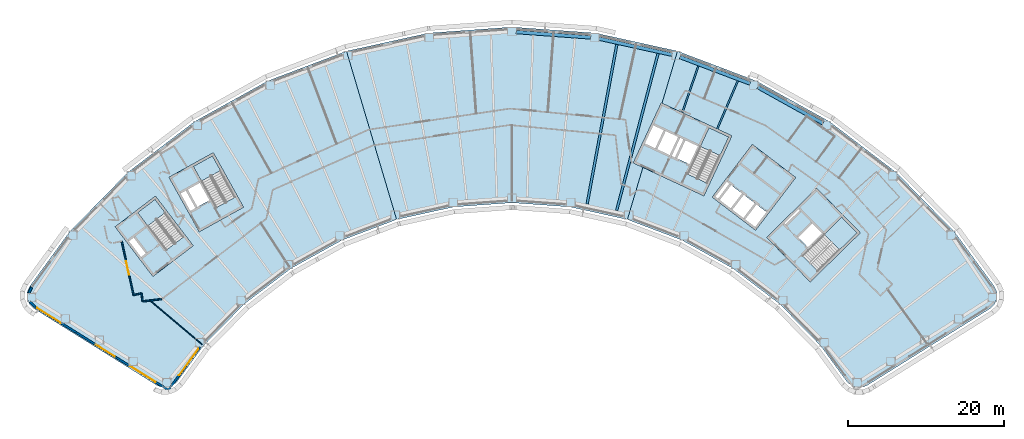
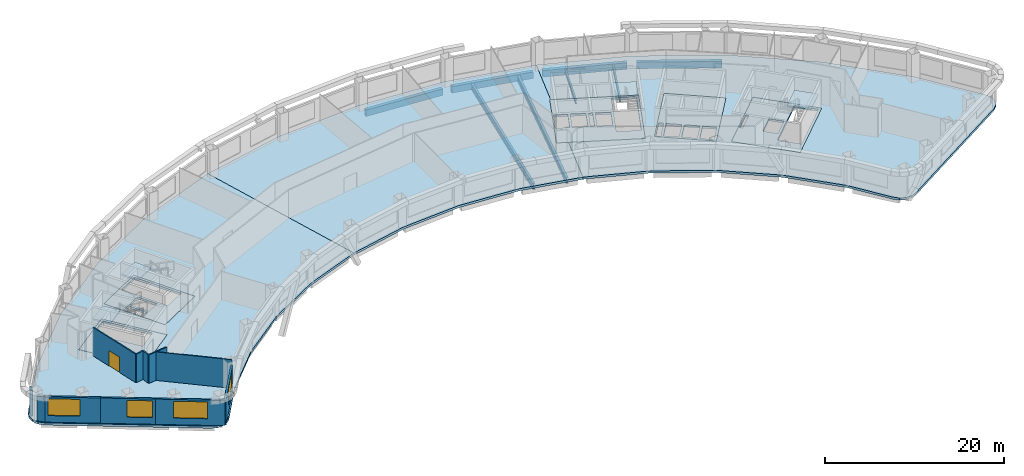
# One storey, part 2 of 13: 12 slabs, 11 walls, 8 beams, 4 windows, 1 door, 5 openings, 4 elements without a shape of their own.
"""IFC4 building model written with IfcOpenShell, lengths in metres."""

from ifc_helpers import new_model, si_unit, direction, frame, frame_2d, origin, origin_2d, place, context, subcontext, project, spatial, polyline, rectangle, hollow_rectangle, i_section, outline, extrude, material, layer, layer_set, material_profile, profile_set, type_object, element, fill, aggregate, save


model = new_model("IFC4")

# Units and contexts
model_context = context("Model", 3, precision=1e-05, world=origin(), true_north=direction((0.0, 1.0)))
body_context = subcontext(model_context, "Body", "Model", "MODEL_VIEW")
ifc_project = project(units=[si_unit("LENGTHUNIT", "METRE"), si_unit("AREAUNIT", "SQUARE_METRE"), si_unit("VOLUMEUNIT", "CUBIC_METRE"), si_unit("PLANEANGLEUNIT", "RADIAN"), si_unit("MASSUNIT", "GRAM", prefix="KILO")], contexts=[model_context])

# Site, building, storey
site_placement = place(None, origin())
site = spatial("IfcSite", under=ifc_project, at=site_placement, CompositionType="ELEMENT")
building_placement = place(site_placement, origin())
building = spatial("IfcBuilding", under=site, at=building_placement, Name="Tuul Gate Civic Tower", CompositionType="ELEMENT")
storey_placement = place(building_placement, frame((0.0, 0.0, 111.89990234375)))
storey = spatial("IfcBuildingStorey", under=building, at=storey_placement, Name="Level 25", CompositionType="ELEMENT", Elevation=111.89990234375)

# Beams
ifc_material_1 = material(Name="Steel S355", Category="steel")
ifc_material_profile_1 = material_profile(ifc_material_1, i_section(OverallWidth=0.199951171875, OverallDepth=0.5, WebThickness=0.010009765625, FlangeThickness=0.01611328125, at=origin_2d()), Name="PG500x200x10x16")
ifc_profile_set_1 = profile_set([ifc_material_profile_1], Name="Steel S355")
beam_type_1 = type_object("IfcBeamType", Name="STR-FLOOR BEAM-PG500x200x10x16", PredefinedType="BEAM", material=ifc_profile_set_1)
beam_1_placement = place(storey_placement, frame((36.169677734375, 1.197998046875, -0.5498046875), z_axis=(0.394200560457, 0.919024438269, 0.0), x_axis=(-0.919024438269, 0.394200560457, 0.0)))
element("IfcBeam", 1, at=beam_1_placement, inside=storey, type_object=beam_type_1, Name="Floor beam", PredefinedType="BEAM", context=body_context, shape_type="SweptSolid", body=[
    extrude(i_section(OverallWidth=0.199951171875, OverallDepth=0.5, WebThickness=0.010009765625, FlangeThickness=0.01611328125, at=origin_2d()), origin(), (0.0, 0.0, 1.0), 6.704345703125),
])
beam_2_placement = place(storey_placement, frame((31.6875, 3.2880859375, -0.5498046875), z_axis=(0.325502200931, 0.945541282647, 0.0), x_axis=(-0.945541282647, 0.325502200931, 0.0)))
element("IfcBeam", 2, at=beam_2_placement, inside=storey, type_object=beam_type_1, Name="Floor beam", PredefinedType="BEAM", context=body_context, shape_type="SweptSolid", body=[
    extrude(i_section(OverallWidth=0.199951171875, OverallDepth=0.5, WebThickness=0.010009765625, FlangeThickness=0.01611328125, at=origin_2d()), origin(), (0.0, 0.0, 1.0), 6.3310546875),
])
ifc_material_2 = material(Name="Steel S355", Category="steel")
ifc_material_profile_2 = material_profile(ifc_material_2, i_section(OverallWidth=0.300048828125, OverallDepth=0.800048828125, WebThickness=0.013916015625, FlangeThickness=0.02490234375, at=origin_2d()), Name="PG800x300x14x25")
ifc_profile_set_2 = profile_set([ifc_material_profile_2], Name="Steel S355")
beam_type_2 = type_object("IfcBeamType", Name="STR-FLOOR BEAM-PG800x300x14x25", PredefinedType="BEAM", material=ifc_profile_set_2)
beam_3_placement = place(storey_placement, frame((23.267578125, -9.2548828125, -0.699951171875), z_axis=(0.255007612054, 0.966939045542, 0.0), x_axis=(-0.966939045542, 0.255007612054, 0.0)))
element("IfcBeam", 3, at=beam_3_placement, inside=storey, type_object=beam_type_2, Name="Floor beam", PredefinedType="BEAM", context=body_context, shape_type="SweptSolid", body=[
    extrude(i_section(OverallWidth=0.300048828125, OverallDepth=0.800048828125, WebThickness=0.013916015625, FlangeThickness=0.02490234375, at=origin_2d()), origin(), (0.0, 0.0, 1.0), 20.8173828125),
])
beam_4_placement = place(storey_placement, frame((19.477294921875, -8.419677734375, -0.699951171875), z_axis=(0.183147342328, 0.98308547492, 0.0), x_axis=(-0.98308547492, 0.183147342328, 0.0)))
element("IfcBeam", 4, at=beam_4_placement, inside=storey, type_object=beam_type_2, Name="Floor beam", PredefinedType="BEAM", context=body_context, shape_type="SweptSolid", body=[
    extrude(i_section(OverallWidth=0.300048828125, OverallDepth=0.800048828125, WebThickness=0.013916015625, FlangeThickness=0.02490234375, at=origin_2d()), origin(), (0.0, 0.0, 1.0), 20.811279296875),
])
ifc_material_3 = material(Name="Steel S355", Category="steel")
ifc_material_profile_3 = material_profile(ifc_material_3, hollow_rectangle(XDim=0.449951171875, YDim=0.89990234375, WallThickness=0.02490234375, at=origin_2d()), Name="BOX900x450x25")
ifc_profile_set_3 = profile_set([ifc_material_profile_3], Name="Steel S355")
beam_type_3 = type_object("IfcBeamType", Name="STR-SPANDREL BEAM-BOX900x450x25", PredefinedType="BEAM", material=ifc_profile_set_3)
beam_5_placement = place(storey_placement, frame((49.75, 1.9306640625, -0.75), z_axis=(-0.874633056334, 0.484785536879, 0.0), x_axis=(-0.484785536879, -0.874633056334, 0.0)))
element("IfcBeam", 5, at=beam_5_placement, inside=storey, type_object=beam_type_3, Name="Spandrel beam", PredefinedType="BEAM", context=body_context, shape_type="SweptSolid", body=[
    extrude(hollow_rectangle(XDim=0.449951171875, YDim=0.89990234375, WallThickness=0.02490234375, at=origin_2d()), origin(), (0.0, 0.0, 1.0), 9.57666015625),
])
beam_6_placement = place(storey_placement, frame((40.378662109375, 7.034423828125, -0.75), z_axis=(-0.935356695064, 0.353705884879, 0.0), x_axis=(-0.353705884879, -0.935356695064, 0.0)))
element("IfcBeam", 6, at=beam_6_placement, inside=storey, type_object=beam_type_3, Name="Spandrel beam", PredefinedType="BEAM", context=body_context, shape_type="SweptSolid", body=[
    extrude(hollow_rectangle(XDim=0.449951171875, YDim=0.89990234375, WallThickness=0.02490234375, at=origin_2d()), origin(), (0.0, 0.0, 1.0), 9.578369140625),
])
beam_7_placement = place(storey_placement, frame((30.367919921875, 10.7353515625, -0.75), z_axis=(-0.976564052188, 0.215226977802, 0.0), x_axis=(-0.215226977802, -0.976564052188, 0.0)))
element("IfcBeam", 7, at=beam_7_placement, inside=storey, type_object=beam_type_3, Name="Spandrel beam", PredefinedType="BEAM", context=body_context, shape_type="SweptSolid", body=[
    extrude(hollow_rectangle(XDim=0.449951171875, YDim=0.89990234375, WallThickness=0.02490234375, at=origin_2d()), origin(), (0.0, 0.0, 1.0), 9.5771484375),
])
beam_8_placement = place(storey_placement, frame((19.929443359375, 12.954833984375, -0.75), z_axis=(-0.997390439125, 0.072196343002, 0.0), x_axis=(-0.072196343002, -0.997390439125, 0.0)))
element("IfcBeam", 8, at=beam_8_placement, inside=storey, type_object=beam_type_3, Name="Spandrel beam", PredefinedType="BEAM", context=body_context, shape_type="SweptSolid", body=[
    extrude(hollow_rectangle(XDim=0.449951171875, YDim=0.89990234375, WallThickness=0.02490234375, at=origin_2d()), origin(), (0.0, 0.0, 1.0), 9.57666015625),
])

# Slabs
ifc_material_4 = material(Name="Concrete C40/50", Category="concrete")
ifc_layer_1 = layer(ifc_material_4, 0.300048828125)
ifc_layer_set_1 = layer_set([ifc_layer_1], Name="Concrete C40/50")
slab_type_1 = type_object("IfcSlabType", Name="Core floor slab 300", PredefinedType="FLOOR", material=ifc_layer_set_1)
slab_1_placement = place(storey_placement, frame((0.0, 0.0, -0.2998046875)))
element("IfcSlab", 9, at=slab_1_placement, inside=storey, type_object=slab_type_1, Name="FLOOR SLAB", PredefinedType="FLOOR", context=body_context, shape_type="SweptSolid", body=[
    extrude(outline(polyline([(-31.10009765625, -13.7890625), (-35.946044921875, -7.423828125), (-41.11767578125, -11.361572265625), (-36.271484375, -17.726806640625), (-31.10009765625, -13.7890625)]), holes=[polyline([(-37.19287109375, -14.783203125), (-38.737548828125, -12.75439453125), (-39.45361328125, -13.299560546875), (-37.908935546875, -15.328369140625), (-37.19287109375, -14.783203125)]), polyline([(-32.33935546875, -12.65771484375), (-34.56591796875, -14.352783203125), (-38.229736328125, -9.54052734375), (-36.003173828125, -7.845458984375), (-32.33935546875, -12.65771484375)])]), origin(), (0.0, 0.0, 1.0), 0.2998046875),
])
slab_2_placement = place(storey_placement, frame((0.0, 0.0, -0.2998046875)))
element("IfcSlab", 10, at=slab_2_placement, inside=storey, type_object=slab_type_1, Name="FLOOR SLAB", PredefinedType="FLOOR", context=body_context, shape_type="SweptSolid", body=[
    extrude(outline(polyline([(-24.638916015625, -8.846923828125), (-28.51708984375, -1.849853515625), (-34.2021484375, -5.0009765625), (-30.32421875, -11.998046875), (-24.638916015625, -8.846923828125)]), holes=[polyline([(-29.0185546875, -7.958740234375), (-30.254638671875, -5.728515625), (-31.785400390625, -6.576904296875), (-30.54931640625, -8.80712890625), (-29.0185546875, -7.958740234375)]), polyline([(-30.8115234375, -8.95263671875), (-32.047607421875, -6.72216796875), (-32.8349609375, -7.158447265625), (-31.5986328125, -9.388916015625), (-30.8115234375, -8.95263671875)]), polyline([(-25.702392578125, -7.548828125), (-28.14990234375, -8.905517578125), (-31.08203125, -3.615234375), (-28.63427734375, -2.2587890625), (-25.702392578125, -7.548828125)])]), origin(), (0.0, 0.0, 1.0), 0.2998046875),
])
slab_3_placement = place(storey_placement, frame((0.0, 0.0, -0.2998046875)))
element("IfcSlab", 11, at=slab_3_placement, inside=storey, type_object=slab_type_1, Name="FLOOR SLAB", PredefinedType="FLOOR", context=body_context, shape_type="SweptSolid", body=[
    extrude(outline(polyline([(48.117919921875, -18.43310546875), (54.545166015625, -12.1328125), (48.945068359375, -6.419921875), (42.517822265625, -12.719970703125), (48.117919921875, -18.43310546875)]), holes=[polyline([(47.808837890625, -13.974853515625), (49.6298828125, -12.18994140625), (48.40478515625, -10.940185546875), (46.583984375, -12.72509765625), (47.808837890625, -13.974853515625)]), polyline([(44.93896484375, -11.046875), (46.760009765625, -9.261962890625), (46.514892578125, -9.011962890625), (44.69384765625, -10.797119140625), (44.93896484375, -11.046875)]), polyline([(49.086181640625, -17.062744140625), (47.12744140625, -15.064208984375), (52.160888671875, -10.130126953125), (54.11962890625, -12.128662109375), (49.086181640625, -17.062744140625)])]), origin(), (0.0, 0.0, 1.0), 0.2998046875),
])
slab_4_placement = place(storey_placement, frame((0.0, 0.0, -0.2998046875)))
element("IfcSlab", 12, at=slab_4_placement, inside=storey, type_object=slab_type_1, Name="FLOOR SLAB", PredefinedType="FLOOR", context=body_context, shape_type="SweptSolid", body=[
    extrude(outline(polyline([(34.465087890625, -7.385986328125), (38.056884765625, 0.31787109375), (28.993896484375, 4.543701171875), (25.40185546875, -3.159912109375), (34.465087890625, -7.385986328125)]), holes=[polyline([(32.60888671875, -3.32080078125), (33.6865234375, -1.009765625), (32.1005859375, -0.27001953125), (31.02294921875, -2.581298828125), (32.60888671875, -3.32080078125)]), polyline([(30.0712890625, -2.137451171875), (31.14892578125, 0.173583984375), (29.562744140625, 0.9130859375), (28.4853515625, -1.39794921875), (30.0712890625, -2.137451171875)]), polyline([(30.751220703125, -2.454345703125), (31.82861328125, -0.143310546875), (31.4208984375, 0.046875), (30.34326171875, -2.264404296875), (30.751220703125, -2.454345703125)]), polyline([(28.21337890625, -1.27099609375), (29.291015625, 1.0400390625), (27.8408203125, 1.71630859375), (26.76318359375, -0.594970703125), (28.21337890625, -1.27099609375)]), polyline([(34.889892578125, -5.7626953125), (32.353759765625, -4.580078125), (35.120849609375, 1.354736328125), (37.6572265625, 0.17236328125), (34.889892578125, -5.7626953125)])]), origin(), (0.0, 0.0, 1.0), 0.2998046875),
])
ifc_material_5 = material(Name="Concrete C40/50", Category="concrete")
ifc_layer_2 = layer(ifc_material_5, 0.300048828125)
ifc_layer_set_2 = layer_set([ifc_layer_2], Name="Concrete C40/50")
slab_type_2 = type_object("IfcSlabType", Name="Core floor slab 300 non-bearing", PredefinedType="FLOOR", material=ifc_layer_set_2)
slab_5_placement = place(storey_placement, frame((0.0, 0.0, -0.2998046875)))
element("IfcSlab", 13, at=slab_5_placement, inside=storey, type_object=slab_type_2, Name="FLOOR SLAB", PredefinedType="FLOOR", context=body_context, shape_type="SweptSolid", body=[
    extrude(outline(polyline([(41.10107421875, -11.797119140625), (46.25, -5.033935546875), (40.680908203125, -0.79296875), (35.531982421875, -7.555908203125), (41.10107421875, -11.797119140625)]), holes=[polyline([(41.044189453125, -11.37646484375), (42.497802734375, -9.467041015625), (41.22509765625, -8.49755859375), (39.77099609375, -10.4072265625), (41.044189453125, -11.37646484375)]), polyline([(39.532470703125, -10.225341796875), (40.986328125, -8.31591796875), (39.593994140625, -7.255615234375), (38.14013671875, -9.165283203125), (39.532470703125, -10.225341796875)]), polyline([(37.901611328125, -8.9833984375), (39.35546875, -7.073974609375), (37.963134765625, -6.013671875), (36.50927734375, -7.923095703125), (37.901611328125, -8.9833984375)]), polyline([(36.1796875, -7.860595703125), (37.724609375, -5.831787109375), (37.286865234375, -5.49853515625), (35.7421875, -7.527587890625), (36.1796875, -7.860595703125)])]), origin(), (0.0, 0.0, 1.0), 0.2998046875),
])

# Stair, slab
ifc_material_6 = material(Name="Concrete C40/50", Category="concrete")
stair_type = type_object("IfcStairType", Name="Exit stair", PredefinedType="HALF_TURN_STAIR", material=ifc_material_6)
stair_1_placement = place(storey_placement, origin())
stair_1 = element("IfcStair", 14, at=stair_1_placement, inside=storey, type_object=stair_type, Name="Level 25 ST-1", PredefinedType="HALF_TURN_STAIR")
ifc_material_7 = material(Name="Concrete C40/50", Category="concrete")
ifc_layer_3 = layer(ifc_material_7, 0.199951171875)
ifc_layer_set_3 = layer_set([ifc_layer_3], Name="Concrete C40/50")
slab_type_3 = type_object("IfcSlabType", Name="Exit stair landing", PredefinedType="LANDING", material=ifc_layer_set_3)
slab_6_placement = place(storey_placement, frame((0.0, 0.0, 1.900146484375)))
slab_6 = element("IfcSlab", 15, at=slab_6_placement, type_object=slab_type_3, Name="ST-1 landing 1", PredefinedType="LANDING", context=body_context, shape_type="SweptSolid", body=[
    extrude(outline(polyline([(-34.699462890625, -9.554931640625), (-36.9287109375, -11.252197265625), (-38.23193359375, -9.540283203125), (-36.0029296875, -7.843017578125), (-34.699462890625, -9.554931640625)])), origin(), (0.0, 0.0, 1.0), 0.199951171875),
])
aggregate(stair_1, [slab_6])

stair_2_placement = place(storey_placement, origin())
stair_2 = element("IfcStair", 16, at=stair_2_placement, inside=storey, type_object=stair_type, Name="Level 25 ST-2", PredefinedType="HALF_TURN_STAIR")
slab_7_placement = place(storey_placement, frame((0.0, 0.0, 1.900146484375)))
slab_7 = element("IfcSlab", 17, at=slab_7_placement, type_object=slab_type_3, Name="ST-2 landing 1", PredefinedType="LANDING", context=body_context, shape_type="SweptSolid", body=[
    extrude(outline(polyline([(-27.5908203125, -4.138427734375), (-30.041015625, -5.49658203125), (-31.084228515625, -3.61474609375), (-28.6337890625, -2.256591796875), (-27.5908203125, -4.138427734375)])), origin(), (0.0, 0.0, 1.0), 0.199951171875),
])
aggregate(stair_2, [slab_7])

stair_3_placement = place(storey_placement, origin())
stair_3 = element("IfcStair", 18, at=stair_3_placement, inside=storey, type_object=stair_type, Name="Level 25 ST-3", PredefinedType="HALF_TURN_STAIR")
slab_8_placement = place(storey_placement, frame((0.0, 0.0, 1.900146484375)))
slab_8 = element("IfcSlab", 19, at=slab_8_placement, type_object=slab_type_3, Name="ST-3 landing 1", PredefinedType="LANDING", context=body_context, shape_type="SweptSolid", body=[
    extrude(outline(polyline([(51.871337890625, -14.3349609375), (49.91015625, -12.334228515625), (52.160888671875, -10.1279296875), (54.1220703125, -12.128662109375), (51.871337890625, -14.3349609375)])), origin(), (0.0, 0.0, 1.0), 0.199951171875),
])
aggregate(stair_3, [slab_8])

stair_4_placement = place(storey_placement, origin())
stair_4 = element("IfcStair", 20, at=stair_4_placement, inside=storey, type_object=stair_type, Name="Level 25 ST-4", PredefinedType="HALF_TURN_STAIR")
slab_9_placement = place(storey_placement, frame((0.0, 0.0, 1.900146484375)))
slab_9 = element("IfcSlab", 21, at=slab_9_placement, type_object=slab_type_3, Name="ST-4 landing 1", PredefinedType="LANDING", context=body_context, shape_type="SweptSolid", body=[
    extrude(outline(polyline([(36.538818359375, -2.230224609375), (33.999755859375, -1.046142578125), (35.1201171875, 1.35693359375), (37.659423828125, 0.173095703125), (36.538818359375, -2.230224609375)])), origin(), (0.0, 0.0, 1.0), 0.199951171875),
])
aggregate(stair_4, [slab_9])

# Slabs
ifc_material_8 = material(Name="Concrete C35/45", Category="concrete")
ifc_layer_4 = layer(ifc_material_8, 0.300048828125)
ifc_layer_set_4 = layer_set([ifc_layer_4], Name="Concrete C35/45")
slab_type_4 = type_object("IfcSlabType", Name="STR-FLOOR-SLAB-300", PredefinedType="FLOOR", material=ifc_layer_set_4)
slab_10_placement = place(storey_placement, frame((0.0, 0.0, -0.2998046875)))
element("IfcSlab", 22, at=slab_10_placement, inside=storey, type_object=slab_type_4, Name="Level 25/slab/W", PredefinedType="FLOOR", context=body_context, shape_type="SweptSolid", body=[
    extrude(outline(polyline([(-12.0048828125, -13.0830078125), (-4.985107421875, -10.427978515625), (-11.4189453125, 11.194091796875), (-21.488037109375, 7.385986328125), (-30.902099609375, 2.1669921875), (-39.467041015625, -4.35302734375), (-47.001953125, -12.0400390625), (-52.0830078125, -18.9970703125), (-52.4189453125, -19.739990234375), (-52.430908203125, -20.555908203125), (-52.116943359375, -21.30810546875), (-51.527099609375, -21.8720703125), (-35.797119140625, -31.701904296875), (-35.10302734375, -31.971923828125), (-34.35791015625, -31.968994140625), (-33.666015625, -31.694091796875), (-33.1220703125, -31.18505859375), (-29.79296875, -26.626953125), (-24.5400390625, -21.26806640625), (-18.569091796875, -16.720947265625), (-12.0048828125, -13.0830078125)]), holes=[polyline([(-31.10009765625, -13.7890625), (-36.27197265625, -17.72705078125), (-41.117919921875, -11.362060546875), (-35.946044921875, -7.424072265625), (-31.10009765625, -13.7890625)]), polyline([(-24.638916015625, -8.846923828125), (-30.323974609375, -11.998046875), (-34.201904296875, -5.0009765625), (-28.51708984375, -1.85009765625), (-24.638916015625, -8.846923828125)])]), origin(), (0.0, 0.0, 1.0), 0.2998046875),
])
slab_11_placement = place(storey_placement, frame((0.0, 0.0, -0.2998046875)))
element("IfcSlab", 23, at=slab_11_placement, inside=storey, type_object=slab_type_4, Name="Level 25/slab/M", PredefinedType="FLOOR", context=body_context, shape_type="SweptSolid", body=[
    extrude(outline(polyline([(24.64306640625, -10.427978515625), (26.635009765625, -3.735107421875), (25.402099609375, -3.159912109375), (28.993896484375, 4.5439453125), (29.0859375, 4.5009765625), (31.076904296875, 11.194091796875), (20.56494140625, 13.510009765625), (9.8291015625, 14.2880859375), (-0.906982421875, 13.510009765625), (-11.4189453125, 11.194091796875), (-4.985107421875, -10.427978515625), (2.343994140625, -8.81298828125), (9.8291015625, -8.27099609375), (17.31396484375, -8.81298828125), (24.64306640625, -10.427978515625)])), origin(), (0.0, 0.0, 1.0), 0.2998046875),
])
slab_12_placement = place(storey_placement, frame((0.0, 0.0, -0.2998046875)))
element("IfcSlab", 24, at=slab_12_placement, inside=storey, type_object=slab_type_4, Name="Level 25/slab/E", PredefinedType="FLOOR", context=body_context, shape_type="SweptSolid", body=[
    extrude(outline(polyline([(54.760986328125, -31.971923828125), (55.455078125, -31.701904296875), (71.18505859375, -21.8720703125), (71.77392578125, -21.30810546875), (72.089111328125, -20.555908203125), (72.076904296875, -19.739990234375), (71.739990234375, -18.9970703125), (66.659912109375, -12.0400390625), (59.1240234375, -4.35302734375), (50.56005859375, 2.1669921875), (41.14501953125, 7.385986328125), (31.076904296875, 11.194091796875), (29.0859375, 4.5009765625), (38.056884765625, 0.318115234375), (34.465087890625, -7.385986328125), (26.635009765625, -3.735107421875), (24.64306640625, -10.427978515625), (31.6630859375, -13.0830078125), (38.22607421875, -16.720947265625), (44.197021484375, -21.26806640625), (49.450927734375, -26.626953125), (52.780029296875, -31.18505859375), (53.323974609375, -31.694091796875), (54.01611328125, -31.968994140625), (54.760986328125, -31.971923828125)]), holes=[polyline([(48.117919921875, -18.43310546875), (42.51806640625, -12.719970703125), (48.945068359375, -6.419921875), (54.544921875, -12.133056640625), (48.117919921875, -18.43310546875)]), polyline([(35.531982421875, -7.555908203125), (40.680908203125, -0.79296875), (46.25, -5.033935546875), (41.10107421875, -11.797119140625), (35.531982421875, -7.555908203125)])]), origin(), (0.0, 0.0, 1.0), 0.2998046875),
])

# Wall, opening, door
ifc_material_9 = material(Name="Gypsum board partition")
ifc_layer_5 = layer(ifc_material_9, 0.14990234375)
ifc_layer_set_5 = layer_set([ifc_layer_5], Name="Gypsum board partition")
wall_type_1 = type_object("IfcWallType", Name="Corridor wall P150", PredefinedType="PARTITIONING", material=ifc_layer_set_5)
wall_1_placement = place(storey_placement, frame((-40.279052734375, -13.201416015625, 0.0), z_axis=(0.0, 0.0, 1.0), x_axis=(0.214701443926, -0.976679727432, 0.0)))
wall_1 = element("IfcWall", 25, at=wall_1_placement, inside=storey, type_object=wall_type_1, Name="p044", PredefinedType="PARTITIONING", context=body_context, shape_type="SweptSolid", body=[
    extrude(rectangle(XDim=7.087646484375, YDim=0.14990234375, at=frame_2d((3.5439453125, 0.0))), origin(), (0.0, 0.0, 1.0), 3.900146484375),
])
opening_1_placement = place(wall_1_placement, frame((2.643798828125, 0.0, 0.0)))
opening_1 = element("IfcOpeningElement", 26, at=opening_1_placement, cuts=wall_1, Name="Opening H-D10", PredefinedType="OPENING", context=body_context, shape_type="SweptSolid", body=[
    extrude(rectangle(XDim=1.800048828125, YDim=2.10009765625, at=frame_2d((0.89990234375, 1.050048828125))), frame((0.0, 0.0849609375, 0.0), z_axis=(0.0, -1.0, 0.0), x_axis=(1.0, 0.0, 0.0)), (0.0, 0.0, 1.0), 0.169921875),
])
ifc_material_10 = material(Name="Timber door leaf, double", Category="wood")
door_type = type_object("IfcDoorType", Name="Door D18", OperationType="DOUBLE_DOOR_SINGLE_SWING", PredefinedType="DOOR", material=ifc_material_10)
door_placement = place(opening_1_placement, frame((1.800048828125, 0.0, 0.0), z_axis=(0.0, 0.0, 1.0), x_axis=(-1.0, 0.0, 0.0)))
door = element("IfcDoor", 27, at=door_placement, inside=storey, type_object=door_type, Name="Door H-D10", OperationType="DOUBLE_DOOR_SINGLE_SWING", OverallHeight=2.10009765625, OverallWidth=1.800048828125, PredefinedType="DOOR", context=body_context, shape_type="SweptSolid", body=[
    extrude(rectangle(XDim=1.800048828125, YDim=2.10009765625, at=frame_2d((0.900146484375, 1.050048828125))), frame((0.0, 0.02490234375, 0.0), z_axis=(0.0, -1.0, 0.0), x_axis=(1.0, 0.0, 0.0)), (0.0, 0.0, 1.0), 0.050048828125),
])
fill(opening_1, door)

# Walls
wall_2_placement = place(storey_placement, frame((-38.757080078125, -20.123779296875, 0.0), z_axis=(0.0, 0.0, 1.0), x_axis=(0.976654438629, 0.214816450735, 0.0)))
element("IfcWall", 28, at=wall_2_placement, inside=storey, type_object=wall_type_1, Name="p051", PredefinedType="PARTITIONING", context=body_context, shape_type="SweptSolid", body=[
    extrude(rectangle(XDim=1.02734375, YDim=0.14990234375, at=frame_2d((0.513671875, 0.0))), origin(), (0.0, 0.0, 1.0), 3.900146484375),
])
wall_3_placement = place(storey_placement, frame((-37.72900390625, -19.920654296875, 0.0), z_axis=(0.0, 0.0, 1.0), x_axis=(0.121168571495, -0.99263194452, 0.0)))
element("IfcWall", 29, at=wall_3_placement, inside=storey, type_object=wall_type_1, Name="p052", PredefinedType="PARTITIONING", context=body_context, shape_type="SweptSolid", body=[
    extrude(rectangle(XDim=1.027587890625, YDim=0.14990234375, at=frame_2d((0.513671875, 0.0))), origin(), (0.0, 0.0, 1.0), 3.900146484375),
])
wall_4_placement = place(storey_placement, frame((-37.6044921875, -20.940673828125, 0.0), z_axis=(0.0, 0.0, 1.0), x_axis=(0.992643003918, 0.121077936774, 0.0)))
element("IfcWall", 30, at=wall_4_placement, inside=storey, type_object=wall_type_1, Name="p053", PredefinedType="PARTITIONING", context=body_context, shape_type="SweptSolid", body=[
    extrude(rectangle(XDim=2.490234375, YDim=0.14990234375, at=frame_2d((1.2451171875, 0.0))), origin(), (0.0, 0.0, 1.0), 3.900146484375),
])
ifc_material_11 = material(Name="Precast concrete C40/50", Category="concrete")
ifc_layer_6 = layer(ifc_material_11, 0.25)
ifc_layer_set_6 = layer_set([ifc_layer_6], Name="Precast concrete C40/50")
wall_type_2 = type_object("IfcWallType", Name="External wall", PredefinedType="STANDARD", material=ifc_layer_set_6)
wall_5_placement = place(storey_placement, frame((-51.84814453125, -19.136474609375, 0.0), z_axis=(0.0, 0.0, 1.0), x_axis=(-0.411894351911, -0.911231607696, 0.0)))
element("IfcWall", 31, at=wall_5_placement, inside=storey, type_object=wall_type_2, Name="External wall", PredefinedType="STANDARD", context=body_context, shape_type="SweptSolid", body=[
    extrude(rectangle(XDim=0.829345703125, YDim=0.25, at=frame_2d((0.41455078125, 0.0))), origin(), (0.0, 0.0, 1.0), 3.4501953125),
])
wall_6_placement = place(storey_placement, frame((-52.053466796875, -20.991943359375, 0.0), z_axis=(0.0, 0.0, 1.0), x_axis=(0.722104872767, -0.691783602527, 0.0)))
element("IfcWall", 32, at=wall_6_placement, inside=storey, type_object=wall_type_2, Name="External wall", PredefinedType="STANDARD", context=body_context, shape_type="SweptSolid", body=[
    extrude(rectangle(XDim=0.958251953125, YDim=0.25, at=frame_2d((0.47900390625, 0.0))), origin(), (0.0, 0.0, 1.0), 3.4501953125),
])

# Wall, opening, window
wall_7_placement = place(storey_placement, frame((-51.3818359375, -21.638916015625, 0.0), z_axis=(0.0, 0.0, 1.0), x_axis=(0.848053758074, -0.529910203164, 0.0)))
wall_7 = element("IfcWall", 33, at=wall_7_placement, inside=storey, type_object=wall_type_2, Name="External wall", PredefinedType="STANDARD", context=body_context, shape_type="SweptSolid", body=[
    extrude(rectangle(XDim=6.182861328125, YDim=0.25, at=frame_2d((3.09130859375, 0.0))), origin(), (0.0, 0.0, 1.0), 3.4501953125),
])
opening_2_placement = place(wall_7_placement, frame((0.322998046875, 0.0, 0.89990234375)))
opening_2 = element("IfcOpeningElement", 34, at=opening_2_placement, cuts=wall_7, Name="Opening W112", PredefinedType="OPENING", context=body_context, shape_type="SweptSolid", body=[
    extrude(rectangle(XDim=3.550048828125, YDim=2.300048828125, at=frame_2d((1.77490234375, 1.14990234375))), frame((0.0, 0.135009765625, 0.0), z_axis=(0.0, -1.0, 0.0), x_axis=(1.0, 0.0, 0.0)), (0.0, 0.0, 1.0), 0.27001953125),
])
ifc_material_12 = material(Name="Glass", Category="glass")
window_type_1 = type_object("IfcWindowType", Name="Window W112 3550 x 2300", PartitioningType="SINGLE_PANEL", PredefinedType="WINDOW", material=ifc_material_12)
window_1_placement = place(opening_2_placement, origin())
window_1 = element("IfcWindow", 35, at=window_1_placement, inside=storey, type_object=window_type_1, Name="Window", OverallHeight=2.300048828125, OverallWidth=3.550048828125, PartitioningType="SINGLE_PANEL", PredefinedType="WINDOW", context=body_context, shape_type="SweptSolid", body=[
    extrude(rectangle(XDim=3.550048828125, YDim=2.300048828125, at=frame_2d((1.77490234375, 1.14990234375))), frame((0.0, 0.030029296875, 0.0), z_axis=(0.0, -1.0, 0.0), x_axis=(1.0, 0.0, 0.0)), (0.0, 0.0, 1.0), 0.06005859375),
])
fill(opening_2, window_1)

wall_8_placement = place(storey_placement, frame((-46.138427734375, -24.915283203125, 0.0), z_axis=(0.0, 0.0, 1.0), x_axis=(0.848053758074, -0.529910203164, 0.0)))
wall_8 = element("IfcWall", 36, at=wall_8_placement, inside=storey, type_object=wall_type_2, Name="External wall", PredefinedType="STANDARD", context=body_context, shape_type="SweptSolid", body=[
    extrude(rectangle(XDim=6.182861328125, YDim=0.25, at=frame_2d((3.09130859375, 0.0))), origin(), (0.0, 0.0, 1.0), 3.4501953125),
])
opening_3_placement = place(wall_8_placement, frame((3.006103515625, 0.0, 0.89990234375)))
opening_3 = element("IfcOpeningElement", 37, at=opening_3_placement, cuts=wall_8, Name="Opening W68", PredefinedType="OPENING", context=body_context, shape_type="SweptSolid", body=[
    extrude(rectangle(XDim=2.85009765625, YDim=2.300048828125, at=frame_2d((1.425048828125, 1.14990234375))), frame((0.0, 0.135009765625, 0.0), z_axis=(0.0, -1.0, 0.0), x_axis=(1.0, 0.0, 0.0)), (0.0, 0.0, 1.0), 0.27001953125),
])
ifc_material_13 = material(Name="Glass", Category="glass")
window_type_2 = type_object("IfcWindowType", Name="Window 2850 x 2300", PartitioningType="SINGLE_PANEL", PredefinedType="WINDOW", material=ifc_material_13)
window_2_placement = place(opening_3_placement, origin())
window_2 = element("IfcWindow", 38, at=window_2_placement, inside=storey, type_object=window_type_2, Name="Window", OverallHeight=2.300048828125, OverallWidth=2.85009765625, PartitioningType="SINGLE_PANEL", PredefinedType="WINDOW", context=body_context, shape_type="SweptSolid", body=[
    extrude(rectangle(XDim=2.85009765625, YDim=2.300048828125, at=frame_2d((1.425048828125, 1.14990234375))), frame((0.0, 0.030029296875, 0.0), z_axis=(0.0, -1.0, 0.0), x_axis=(1.0, 0.0, 0.0)), (0.0, 0.0, 1.0), 0.06005859375),
])
fill(opening_3, window_2)

wall_9_placement = place(storey_placement, frame((-40.89501953125, -28.191650390625, 0.0), z_axis=(0.0, 0.0, 1.0), x_axis=(0.848044094411, -0.529925668311, 0.0)))
wall_9 = element("IfcWall", 39, at=wall_9_placement, inside=storey, type_object=wall_type_2, Name="External wall", PredefinedType="STANDARD", context=body_context, shape_type="SweptSolid", body=[
    extrude(rectangle(XDim=7.787353515625, YDim=0.25, at=frame_2d((3.8935546875, 0.0))), origin(), (0.0, 0.0, 1.0), 3.4501953125),
])
opening_4_placement = place(wall_9_placement, frame((1.9951171875, 0.0, 0.89990234375)))
opening_4 = element("IfcOpeningElement", 40, at=opening_4_placement, cuts=wall_9, Name="Opening W22", PredefinedType="OPENING", context=body_context, shape_type="SweptSolid", body=[
    extrude(rectangle(XDim=3.85009765625, YDim=2.300048828125, at=frame_2d((1.925048828125, 1.14990234375))), frame((0.0, 0.135009765625, 0.0), z_axis=(0.0, -1.0, 0.0), x_axis=(1.0, 0.0, 0.0)), (0.0, 0.0, 1.0), 0.27001953125),
])
ifc_material_14 = material(Name="Glass", Category="glass")
window_type_3 = type_object("IfcWindowType", Name="Window W22 3850 x 2300", PartitioningType="SINGLE_PANEL", PredefinedType="WINDOW", material=ifc_material_14)
window_3_placement = place(opening_4_placement, origin())
window_3 = element("IfcWindow", 41, at=window_3_placement, inside=storey, type_object=window_type_3, Name="Window", OverallHeight=2.300048828125, OverallWidth=3.85009765625, PartitioningType="SINGLE_PANEL", PredefinedType="WINDOW", context=body_context, shape_type="SweptSolid", body=[
    extrude(rectangle(XDim=3.85009765625, YDim=2.300048828125, at=frame_2d((1.925048828125, 1.14990234375))), frame((0.0, 0.030029296875, 0.0), z_axis=(0.0, -1.0, 0.0), x_axis=(1.0, 0.0, 0.0)), (0.0, 0.0, 1.0), 0.06005859375),
])
fill(opening_4, window_3)

wall_10_placement = place(storey_placement, frame((-34.291015625, -32.318359375, 0.0), z_axis=(0.0, 0.0, 1.0), x_axis=(0.589868212008, 0.807499530936, 0.0)))
wall_10 = element("IfcWall", 42, at=wall_10_placement, inside=storey, type_object=wall_type_2, Name="External wall", PredefinedType="STANDARD", context=body_context, shape_type="SweptSolid", body=[
    extrude(rectangle(XDim=6.8486328125, YDim=0.25, at=frame_2d((3.42431640625, 0.0))), origin(), (0.0, 0.0, 1.0), 3.4501953125),
])
opening_5_placement = place(wall_10_placement, frame((2.356689453125, 0.0, 0.89990234375)))
opening_5 = element("IfcOpeningElement", 43, at=opening_5_placement, cuts=wall_10, Name="Opening W25", PredefinedType="OPENING", context=body_context, shape_type="SweptSolid", body=[
    extrude(rectangle(XDim=4.14990234375, YDim=2.300048828125, at=frame_2d((2.074951171875, 1.14990234375))), frame((0.0, 0.135009765625, 0.0), z_axis=(0.0, -1.0, 0.0), x_axis=(1.0, 0.0, 0.0)), (0.0, 0.0, 1.0), 0.27001953125),
])
ifc_material_15 = material(Name="Glass", Category="glass")
window_type_4 = type_object("IfcWindowType", Name="Window W25 4150 x 2300", PartitioningType="SINGLE_PANEL", PredefinedType="WINDOW", material=ifc_material_15)
window_4_placement = place(opening_5_placement, origin())
window_4 = element("IfcWindow", 44, at=window_4_placement, inside=storey, type_object=window_type_4, Name="Window", OverallHeight=2.300048828125, OverallWidth=4.14990234375, PartitioningType="SINGLE_PANEL", PredefinedType="WINDOW", context=body_context, shape_type="SweptSolid", body=[
    extrude(rectangle(XDim=4.14990234375, YDim=2.300048828125, at=frame_2d((2.074951171875, 1.14990234375))), frame((0.0, 0.030029296875, 0.0), z_axis=(0.0, -1.0, 0.0), x_axis=(1.0, 0.0, 0.0)), (0.0, 0.0, 1.0), 0.06005859375),
])
fill(opening_5, window_4)

# Wall
ifc_material_16 = material(Name="Gypsum board partition")
ifc_layer_7 = layer(ifc_material_16, 0.10009765625)
ifc_layer_set_7 = layer_set([ifc_layer_7], Name="Gypsum board partition")
wall_type_3 = type_object("IfcWallType", Name="Partition P100", PredefinedType="PARTITIONING", material=ifc_layer_set_7)
wall_11_placement = place(storey_placement, frame((-36.640625, -20.822998046875, 0.0), z_axis=(0.0, 0.0, 1.0), x_axis=(0.762822215441, -0.646608279895, 0.0)))
element("IfcWall", 45, at=wall_11_placement, inside=storey, type_object=wall_type_3, Name="p046", PredefinedType="PARTITIONING", context=body_context, shape_type="SweptSolid", body=[
    extrude(rectangle(XDim=8.70556640625, YDim=0.10009765625, at=frame_2d((4.352783203125, 0.0))), origin(), (0.0, 0.0, 1.0), 3.900146484375),
])

save(model, "model.ifc")
